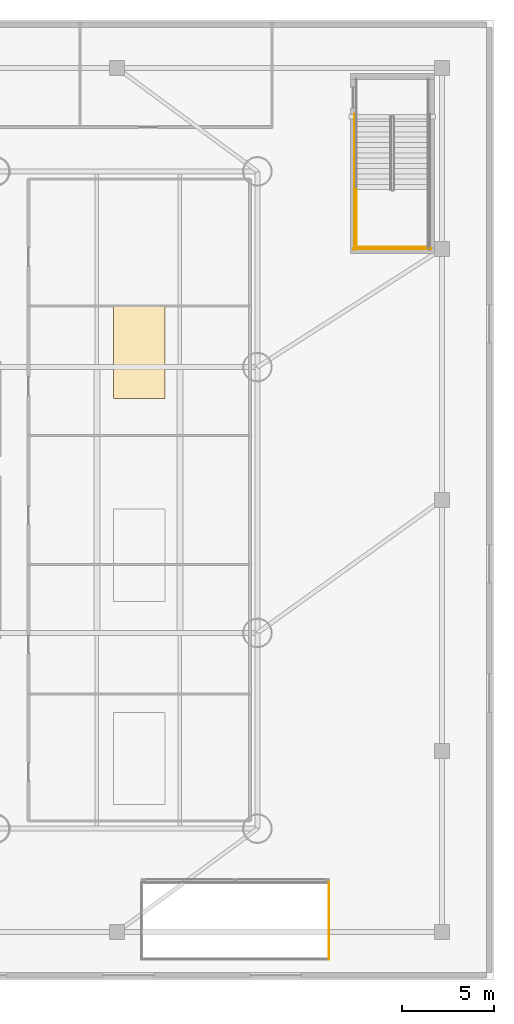
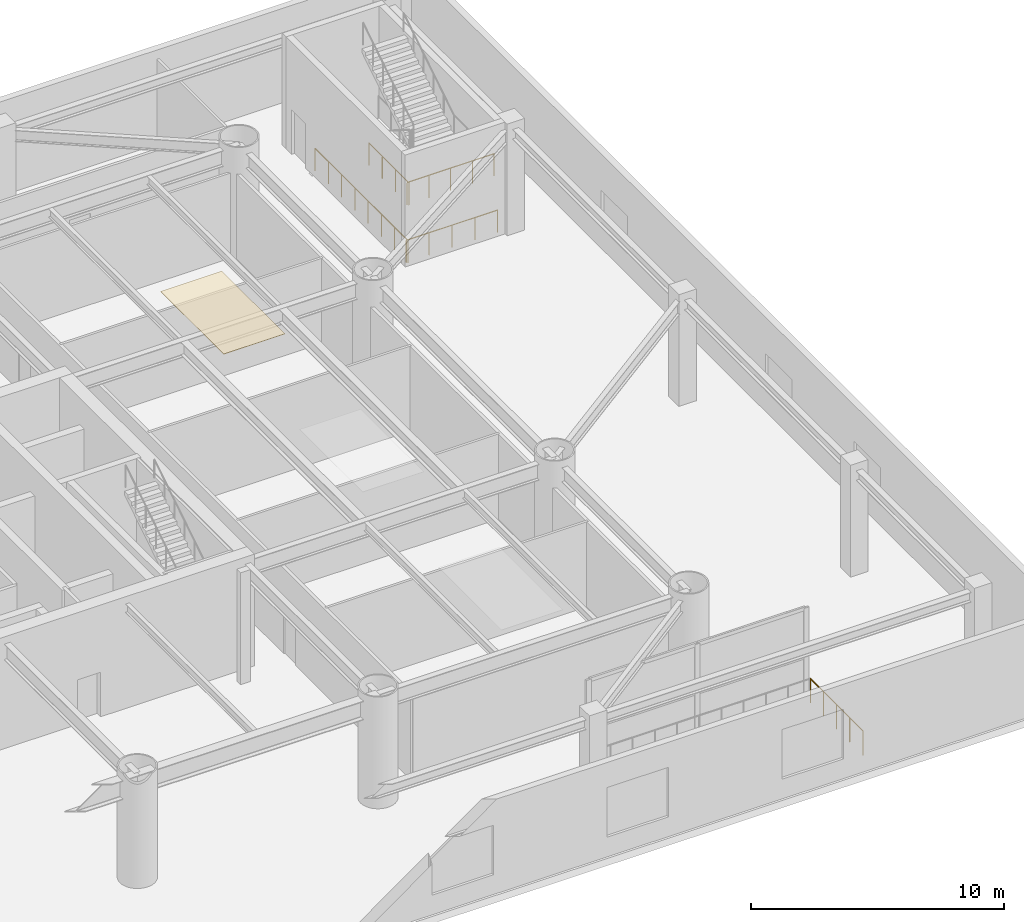
# One storey, part 15 of 16: 5 railings, 1 covering.
"""IFC4 building model written with IfcOpenShell, lengths in metres."""

import ifcopenshell
import ifcopenshell.guid

model = None  # the IFC model being written
_history = None  # IfcOwnerHistory: only IFC2X3 demands one
_inside = {}  # id of a spatial element -> (the spatial element, [elements in it])
_under = {}  # id of a project, library or spatial element -> (it, [spatial elements below it])
_declared = {}  # id of a project -> (the project, [libraries it declares])
_typed = {}  # id of a type object -> (the type object, [elements of that type])
_made_of = {}  # id of a material, layer set ... -> (it, [elements and type objects made of it])


def new_model(schema):
    """Start an empty IFC model of exactly this schema.

    Asked for "IFC4X3", IfcOpenShell would pick the latest addendum, in which some entities
    have other attributes; the version numbers below select the first issue.
    IFC2X3 requires an IfcOwnerHistory on every rooted entity: one is made here for all.
    """
    global model, _history
    if schema == "IFC4X3":
        model = ifcopenshell.file(schema_version=(4, 3, 0, 0))
    else:
        model = ifcopenshell.file(schema=schema)
    _inside.clear()
    _under.clear()
    _declared.clear()
    _typed.clear()
    _made_of.clear()
    _history = None
    if model.schema == "IFC2X3":
        org = make("IfcOrganization", Name="unknown")
        user = make(
            "IfcPersonAndOrganization",
            ThePerson=make("IfcPerson", FamilyName="unknown"),
            TheOrganization=org,
        )
        app = make(
            "IfcApplication",
            ApplicationDeveloper=org,
            Version="unknown",
            ApplicationFullName="unknown",
            ApplicationIdentifier="unknown",
        )
        _history = make(
            "IfcOwnerHistory",
            OwningUser=user,
            OwningApplication=app,
            ChangeAction="ADDED",
            CreationDate=0,
        )
    return model


def make(cls, **values):
    """One entity of the class cls with the attributes given. An attribute that is None is left unset."""
    return model.create_entity(
        cls, **{name: value for name, value in values.items() if value is not None}
    )


def rooted(cls, **values):
    """An entity with a GlobalId (a new one), such as an element, a storey or a relation."""
    return make(cls, GlobalId=ifcopenshell.guid.new(), OwnerHistory=_history, **values)


def si_unit(unit_type, name, prefix=None):
    """IfcSIUnit, for example si_unit("LENGTHUNIT", "METRE", prefix="MILLI")."""
    return make("IfcSIUnit", UnitType=unit_type, Prefix=prefix, Name=name)


def assignment(units):
    """IfcUnitAssignment: the units of a project."""
    return None if units is None else make("IfcUnitAssignment", Units=units)


def point(xyz):
    """IfcCartesianPoint."""
    return None if xyz is None else make("IfcCartesianPoint", Coordinates=xyz)


def direction(xyz):
    """IfcDirection."""
    return None if xyz is None else make("IfcDirection", DirectionRatios=xyz)


def frame(location, z_axis=None, x_axis=None):
    """IfcAxis2Placement3D, a coordinate frame: its origin and axes. An axis left out is left unset."""
    return make(
        "IfcAxis2Placement3D",
        Location=point(location),
        Axis=direction(z_axis),
        RefDirection=direction(x_axis),
    )


def frame_2d(location, x_axis=None):
    """IfcAxis2Placement2D, a coordinate frame in the plane: its origin and x axis."""
    return make(
        "IfcAxis2Placement2D", Location=point(location), RefDirection=direction(x_axis)
    )


def origin():
    """The frame at (0, 0, 0) with its axes left unset."""
    return frame((0.0, 0.0, 0.0))


def origin_2d():
    """The frame at (0, 0) in the plane with its x axis left unset."""
    return frame_2d((0.0, 0.0))


def place(relative_to, where):
    """IfcLocalPlacement: puts the frame where relative to a parent placement (None: the world)."""
    return make(
        "IfcLocalPlacement", PlacementRelTo=relative_to, RelativePlacement=where
    )


def context(
    kind, dimensions, precision=None, world=None, true_north=None, identifier=None
):
    """IfcGeometricRepresentationContext, for example the 3D "Model" context."""
    return make(
        "IfcGeometricRepresentationContext",
        ContextIdentifier=identifier,
        ContextType=kind,
        CoordinateSpaceDimension=dimensions,
        Precision=precision,
        WorldCoordinateSystem=world,
        TrueNorth=true_north,
    )


def subcontext(parent, identifier, kind, view, scale=None):
    """IfcGeometricRepresentationSubContext, for example "Body" below "Model"."""
    return make(
        "IfcGeometricRepresentationSubContext",
        ContextIdentifier=identifier,
        ContextType=kind,
        ParentContext=parent,
        TargetScale=scale,
        TargetView=view,
    )


def project(units=None, contexts=None):
    """IfcProject with its units and contexts."""
    return rooted(
        "IfcProject",
        Name="project",
        RepresentationContexts=contexts,
        UnitsInContext=assignment(units),
    )


def spatial(cls, under=None, at=None, **own):
    """A site, building, storey or space (cls), placed at a placement, below another one or the project."""
    s = rooted(cls, ObjectPlacement=at, **own)
    if under is not None:
        _under.setdefault(under.id(), (under, []))[1].append(s)
    return s


def polyline(points):
    """IfcPolyline through the points."""
    return make("IfcPolyline", Points=[point(p) for p in points])


def profile(cls, at=None, kind="AREA", **sizes):
    """A parametric profile (cls). Its sizes go by their IFC names, for example OverallWidth=200.0."""
    return make(cls, ProfileType=kind, Position=at, **sizes)


def circle(**sizes):
    """IfcCircleProfileDef."""
    return profile("IfcCircleProfileDef", **sizes)


def outline(outer, holes=None, kind="AREA"):
    """IfcArbitraryClosedProfileDef: a profile drawn as a closed curve; with holes, ...WithVoids."""
    if holes is None:
        return make("IfcArbitraryClosedProfileDef", ProfileType=kind, OuterCurve=outer)
    return make(
        "IfcArbitraryProfileDefWithVoids",
        ProfileType=kind,
        OuterCurve=outer,
        InnerCurves=holes,
    )


def extrude(swept, where, along, depth):
    """IfcExtrudedAreaSolid: the profile swept, set in the frame where, extruded along a direction by depth."""
    return make(
        "IfcExtrudedAreaSolid",
        SweptArea=swept,
        Position=where,
        ExtrudedDirection=direction(along),
        Depth=depth,
    )


def shape(context_of_items, identifier, shape_type, items):
    """IfcShapeRepresentation: the items that make up one representation, for example the "Body"."""
    return make(
        "IfcShapeRepresentation",
        ContextOfItems=context_of_items,
        RepresentationIdentifier=identifier,
        RepresentationType=shape_type,
        Items=items,
    )


def material(Name=None, Category=None):
    """IfcMaterial."""
    return make("IfcMaterial", Name=Name, Category=Category)


def layer(
    of_material, thickness, ventilated=None, Name=None, Category=None, Priority=None
):
    """IfcMaterialLayer: one layer of a wall or slab, of a material (None: an air gap)."""
    return make(
        "IfcMaterialLayer",
        Material=of_material,
        LayerThickness=thickness,
        IsVentilated=ventilated,
        Name=Name,
        Category=Category,
        Priority=Priority,
    )


def layer_set(layers, Name=None):
    """IfcMaterialLayerSet."""
    return make("IfcMaterialLayerSet", MaterialLayers=layers, LayerSetName=Name)


def made_of(thing, what):
    """Note that an element or type object is made of a material, layer set ...; save() writes the relation."""
    if what is not None:
        _made_of.setdefault(what.id(), (what, []))[1].append(thing)
    return thing


def type_object(cls, material=None, **own):
    """A type object (cls), such as IfcWallType, which elements share."""
    return made_of(rooted(cls, **own), material)


def element(
    cls,
    number,
    at=None,
    inside=None,
    cuts=None,
    type_object=None,
    material=None,
    context=None,
    identifier="Body",
    shape_type=None,
    held_by="IfcProductDefinitionShape",
    body=None,
    shapes=None,
    **own,
):
    """One element of the class cls, such as IfcWall. Its Tag is "e" and its number.

    at: its placement. inside: the storey or other place that contains it. cuts: it is an
    opening in that element (IfcRelVoidsElement). A single representation is given by context,
    identifier, shape_type and body (its items); several are given by shapes. held_by: the class
    of the entity that holds the representations. save() writes the other relations.
    """
    e = rooted(cls, Tag="e%d" % number, ObjectPlacement=at, **own)
    if body is not None:
        shapes = [shape(context, identifier, shape_type, body)]
    if shapes is not None:
        e.Representation = make(held_by, Representations=shapes)
    if inside is not None:
        _inside.setdefault(inside.id(), (inside, []))[1].append(e)
    if cuts is not None:
        rooted(
            "IfcRelVoidsElement", RelatingBuildingElement=cuts, RelatedOpeningElement=e
        )
    if type_object is not None:
        _typed.setdefault(type_object.id(), (type_object, []))[1].append(e)
    return made_of(e, material)


def aggregate(whole, parts):
    """IfcRelAggregates: a whole, such as a stair, and the parts it consists of."""
    return rooted("IfcRelAggregates", RelatingObject=whole, RelatedObjects=parts)


def save(model, path):
    """Write the relations noted so far, then the file.

    IfcRelAggregates (storeys below a building ...), IfcRelContainedInSpatialStructure (elements
    in a storey), IfcRelDefinesByType, IfcRelAssociatesMaterial and IfcRelDeclares: one each for
    every whole, place, type object, material and project.
    """
    for whole, parts in _under.values():
        aggregate(whole, parts)
    for where, things in _inside.values():
        rooted(
            "IfcRelContainedInSpatialStructure",
            RelatedElements=things,
            RelatingStructure=where,
        )
    for kind, things in _typed.values():
        rooted("IfcRelDefinesByType", RelatedObjects=things, RelatingType=kind)
    for what, things in _made_of.values():
        rooted("IfcRelAssociatesMaterial", RelatedObjects=things, RelatingMaterial=what)
    for by, libraries in _declared.values():
        rooted("IfcRelDeclares", RelatingContext=by, RelatedDefinitions=libraries)
    model.write(path)


model = new_model("IFC4")

# Units and contexts
model_context = context("Model", 3, precision=1e-05, world=origin(), true_north=direction((0.0, 1.0)))
body_context = subcontext(model_context, "Body", "Model", "MODEL_VIEW")
ifc_project = project(units=[si_unit("LENGTHUNIT", "METRE"), si_unit("AREAUNIT", "SQUARE_METRE"), si_unit("VOLUMEUNIT", "CUBIC_METRE"), si_unit("PLANEANGLEUNIT", "RADIAN"), si_unit("MASSUNIT", "GRAM", prefix="KILO")], contexts=[model_context])

# Site, building, storey
site_placement = place(None, origin())
site = spatial("IfcSite", under=ifc_project, at=site_placement, CompositionType="ELEMENT")
building_placement = place(site_placement, origin())
building = spatial("IfcBuilding", under=site, at=building_placement, Name="Bramvorn Convention Spire", CompositionType="ELEMENT")
storey_placement = place(building_placement, frame((0.0, 0.0, 18.60009765625)))
storey = spatial("IfcBuildingStorey", under=building, at=storey_placement, Name="L03", CompositionType="ELEMENT", Elevation=18.60009765625)

# Covering
ifc_material_1 = material(Name="Micro-Perforated Mineral-Fibre Acoustic Ceiling Tile", Category="gypsum")
ifc_layer = layer(ifc_material_1, 0.02001953125)
ifc_layer_set = layer_set([ifc_layer], Name="Micro-Perforated Mineral-Fibre Acoustic Ceiling Tile - CLG-ACOUSTIC-20")
covering_type = type_object("IfcCoveringType", Name="CLG-ACOUSTIC-20", PredefinedType="CEILING", material=ifc_layer_set)
covering_placement = place(storey_placement, frame((0.0, 0.0, 5.02978515625)))
element("IfcCovering", 1, at=covering_placement, inside=storey, type_object=covering_type, Name="L03 Seminar acoustic tile ceiling 3", PredefinedType="CEILING", context=body_context, shape_type="SweptSolid", body=[
    extrude(outline(polyline([(55.39990234375, 31.5), (58.199951171875, 31.5), (58.199951171875, 36.5), (55.39990234375, 36.5), (55.39990234375, 31.5)])), origin(), (0.0, 0.0, 1.0), 0.02001953125),
])

# Railings
ifc_material_2 = material(Name="Warm Bronze Perforated Metal & Glass Balustrade", Category="glass")
railing_type_1 = type_object("IfcRailingType", Name="RL-POD-BALUSTRADE-1200", PredefinedType="BALUSTRADE", material=ifc_material_2)
railing_1_placement = place(storey_placement, frame((67.080078125, 1.1201171875, 0.0)))
element("IfcRailing", 2, at=railing_1_placement, inside=storey, type_object=railing_type_1, Name="L03 SE void perimeter balustrade side 2", PredefinedType="BALUSTRADE", context=body_context, shape_type="SweptSolid", body=[
    extrude(circle(Radius=0.02392578125, at=origin_2d()), frame((0.0, 0.0, 1.17578125), z_axis=(0.0, 1.0, 0.0), x_axis=(-1.0, 0.0, 0.0)), (0.0, 0.0, 1.0), 4.159912109375),
    extrude(circle(Radius=0.02099609375, at=origin_2d()), origin(), (0.0, 0.0, 1.0), 1.15185546875),
    extrude(circle(Radius=0.02099609375, at=origin_2d()), frame((0.0, 1.0400390625, 0.0)), (0.0, 0.0, 1.0), 1.15185546875),
    extrude(circle(Radius=0.02099609375, at=origin_2d()), frame((0.0, 2.080078125, 0.0)), (0.0, 0.0, 1.0), 1.15185546875),
    extrude(circle(Radius=0.02099609375, at=origin_2d()), frame((0.0, 3.119873046875, 0.0)), (0.0, 0.0, 1.0), 1.15185546875),
    extrude(circle(Radius=0.02099609375, at=origin_2d()), frame((0.0, 4.159912109375, 0.0)), (0.0, 0.0, 1.0), 1.15185546875),
])
ifc_material_3 = material(Name="Painted Steel Balustrade & Guardrail", Category="steel")
railing_type_2 = type_object("IfcRailingType", Name="RL-STAIR-GUARD-1100", PredefinedType="GUARDRAIL", material=ifc_material_3)
railing_2_placement = place(storey_placement, frame((68.570068359375, 42.81005859375, 2.699951171875)))
element("IfcRailing", 3, at=railing_2_placement, inside=storey, type_object=railing_type_2, Name="L03 ST5 stair guard 3", PredefinedType="GUARDRAIL", context=body_context, shape_type="SweptSolid", body=[
    extrude(circle(Radius=0.02392578125, at=origin_2d()), frame((0.0, 0.0, 1.076171875), z_axis=(0.0, -1.0, 0.0), x_axis=(1.0, 0.0, 0.0)), (0.0, 0.0, 1.0), 3.16015625),
    extrude(circle(Radius=0.02099609375, at=origin_2d()), origin(), (0.0, 0.0, 1.0), 1.052001953125),
    extrude(circle(Radius=0.02099609375, at=origin_2d()), frame((0.0, -1.053466796875, 0.0)), (0.0, 0.0, 1.0), 1.052001953125),
    extrude(circle(Radius=0.02099609375, at=origin_2d()), frame((0.0, -2.106689453125, 0.0)), (0.0, 0.0, 1.0), 1.052001953125),
    extrude(circle(Radius=0.02099609375, at=origin_2d()), frame((0.0, -3.16015625, 0.0)), (0.0, 0.0, 1.0), 1.052001953125),
])
railing_3_placement = place(storey_placement, frame((68.52001953125, 39.699951171875, 2.699951171875)))
element("IfcRailing", 4, at=railing_3_placement, inside=storey, type_object=railing_type_2, Name="L03 ST5 stair guard 5", PredefinedType="GUARDRAIL", context=body_context, shape_type="SweptSolid", body=[
    extrude(circle(Radius=0.02392578125, at=origin_2d()), frame((0.0, 0.0, 1.076171875), z_axis=(1.0, 0.0, 0.0), x_axis=(0.0, 1.0, 0.0)), (0.0, 0.0, 1.0), 3.97998046875),
    extrude(circle(Radius=0.02099609375, at=origin_2d()), origin(), (0.0, 0.0, 1.0), 1.052001953125),
    extrude(circle(Radius=0.02099609375, at=origin_2d()), frame((0.9951171875, 0.0, 0.0)), (0.0, 0.0, 1.0), 1.052001953125),
    extrude(circle(Radius=0.02099609375, at=origin_2d()), frame((1.989990234375, 0.0, 0.0)), (0.0, 0.0, 1.0), 1.052001953125),
    extrude(circle(Radius=0.02099609375, at=origin_2d()), frame((2.98486328125, 0.0, 0.0)), (0.0, 0.0, 1.0), 1.052001953125),
    extrude(circle(Radius=0.02099609375, at=origin_2d()), frame((3.97998046875, 0.0, 0.0)), (0.0, 0.0, 1.0), 1.052001953125),
])
railing_4_placement = place(storey_placement, frame((68.469970703125, 46.89990234375, 0.0)))
element("IfcRailing", 5, at=railing_4_placement, inside=storey, type_object=railing_type_2, Name="L03 ST5 stair guard 10", PredefinedType="GUARDRAIL", context=body_context, shape_type="SweptSolid", body=[
    extrude(circle(Radius=0.02392578125, at=origin_2d()), frame((0.0, 0.0, 1.076171875), z_axis=(0.0, -1.0, 0.0), x_axis=(1.0, 0.0, 0.0)), (0.0, 0.0, 1.0), 7.349853515625),
    extrude(circle(Radius=0.02099609375, at=origin_2d()), origin(), (0.0, 0.0, 1.0), 1.052001953125),
    extrude(circle(Radius=0.02099609375, at=origin_2d()), frame((0.0, -1.050048828125, 0.0)), (0.0, 0.0, 1.0), 1.052001953125),
    extrude(circle(Radius=0.02099609375, at=origin_2d()), frame((0.0, -2.099853515625, 0.0)), (0.0, 0.0, 1.0), 1.052001953125),
    extrude(circle(Radius=0.02099609375, at=origin_2d()), frame((0.0, -3.14990234375, 0.0)), (0.0, 0.0, 1.0), 1.052001953125),
    extrude(circle(Radius=0.02099609375, at=origin_2d()), frame((0.0, -4.199951171875, 0.0)), (0.0, 0.0, 1.0), 1.052001953125),
    extrude(circle(Radius=0.02099609375, at=origin_2d()), frame((0.0, -5.25, 0.0)), (0.0, 0.0, 1.0), 1.052001953125),
    extrude(circle(Radius=0.02099609375, at=origin_2d()), frame((0.0, -6.2998046875, 0.0)), (0.0, 0.0, 1.0), 1.052001953125),
    extrude(circle(Radius=0.02099609375, at=origin_2d()), frame((0.0, -7.349853515625, 0.0)), (0.0, 0.0, 1.0), 1.052001953125),
])
railing_5_placement = place(storey_placement, frame((68.419921875, 39.60009765625, 0.0)))
element("IfcRailing", 6, at=railing_5_placement, inside=storey, type_object=railing_type_2, Name="L03 ST5 stair guard 12", PredefinedType="GUARDRAIL", context=body_context, shape_type="SweptSolid", body=[
    extrude(circle(Radius=0.02392578125, at=origin_2d()), frame((0.0, 0.0, 1.076171875), z_axis=(1.0, 0.0, 0.0), x_axis=(0.0, 1.0, 0.0)), (0.0, 0.0, 1.0), 4.18017578125),
    extrude(circle(Radius=0.02099609375, at=origin_2d()), origin(), (0.0, 0.0, 1.0), 1.052001953125),
    extrude(circle(Radius=0.02099609375, at=origin_2d()), frame((1.044921875, 0.0, 0.0)), (0.0, 0.0, 1.0), 1.052001953125),
    extrude(circle(Radius=0.02099609375, at=origin_2d()), frame((2.090087890625, 0.0, 0.0)), (0.0, 0.0, 1.0), 1.052001953125),
    extrude(circle(Radius=0.02099609375, at=origin_2d()), frame((3.13525390625, 0.0, 0.0)), (0.0, 0.0, 1.0), 1.052001953125),
    extrude(circle(Radius=0.02099609375, at=origin_2d()), frame((4.18017578125, 0.0, 0.0)), (0.0, 0.0, 1.0), 1.052001953125),
])

save(model, "model.ifc")
